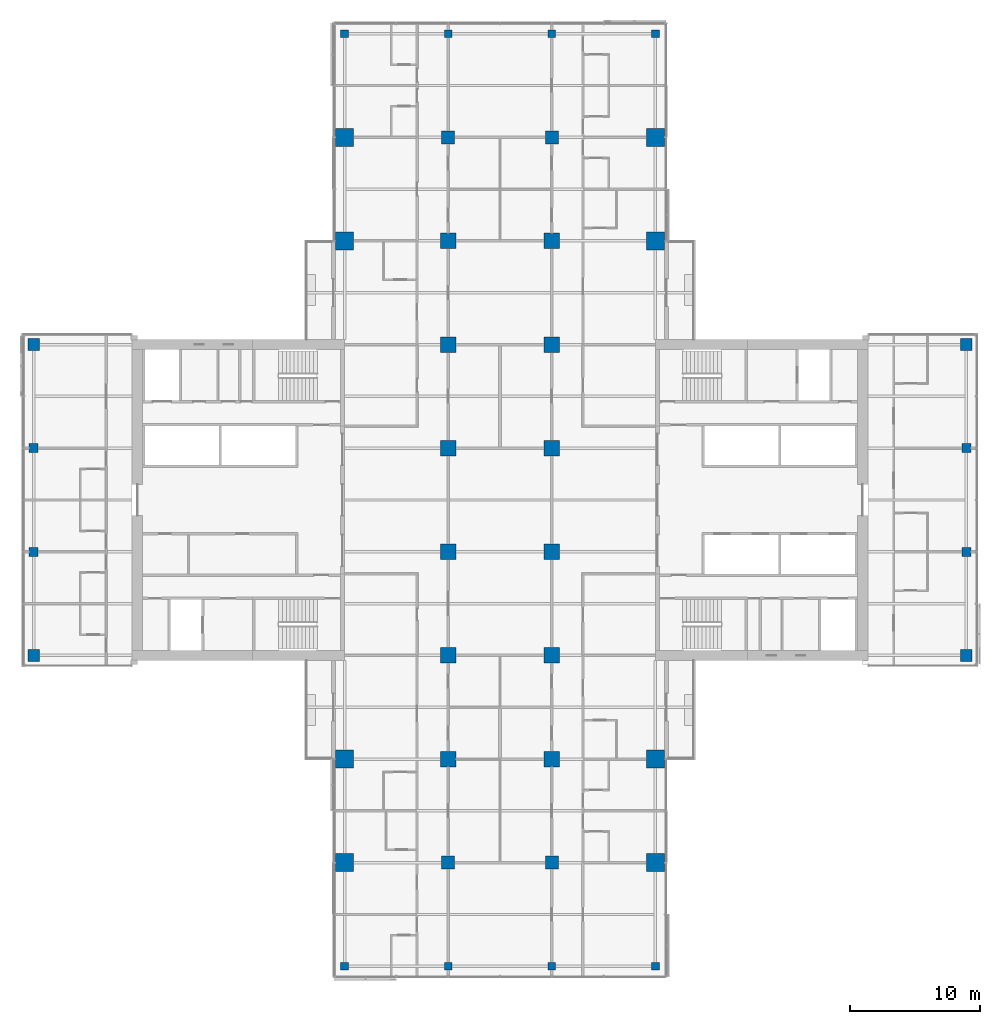
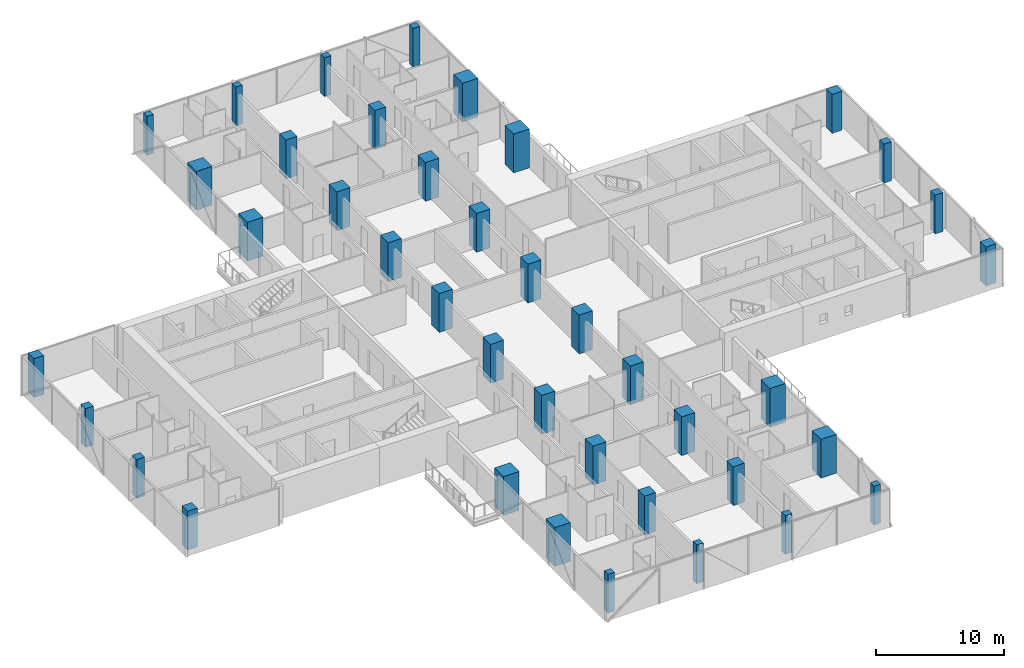
# One storey, part 1 of 27: 40 columns.
"""IFC4 building model written with IfcOpenShell, lengths in metres."""

from ifc_helpers import new_model, si_unit, direction, frame, origin, origin_2d, place, context, subcontext, project, spatial, rectangle, extrude, material, material_profile, profile_set, type_object, element, save


model = new_model("IFC4")

# Units and contexts
model_context = context("Model", 3, precision=1e-05, world=origin(), true_north=direction((0.0, 1.0)))
body_context = subcontext(model_context, "Body", "Model", "MODEL_VIEW")
ifc_project = project(units=[si_unit("LENGTHUNIT", "METRE"), si_unit("AREAUNIT", "SQUARE_METRE"), si_unit("VOLUMEUNIT", "CUBIC_METRE"), si_unit("PLANEANGLEUNIT", "RADIAN"), si_unit("MASSUNIT", "GRAM", prefix="KILO")], contexts=[model_context])

# Site, building, storey
site_placement = place(None, origin())
site = spatial("IfcSite", under=ifc_project, at=site_placement, CompositionType="ELEMENT")
building_placement = place(site_placement, origin())
building = spatial("IfcBuilding", under=site, at=building_placement, Name="Crosswind Convention Tower", CompositionType="ELEMENT")
storey_placement = place(building_placement, frame((0.0, 0.0, 79.39990234375)))
storey = spatial("IfcBuildingStorey", under=building, at=storey_placement, Name="L14", CompositionType="ELEMENT", Elevation=79.39990234375)

# Columns
ifc_material_1 = material(Name="Concrete C70/85", Category="concrete")
ifc_material_profile_1 = material_profile(ifc_material_1, rectangle(XDim=1.0, YDim=1.0, at=origin_2d()), Name="RC 1000X1000")
ifc_profile_set_1 = profile_set([ifc_material_profile_1], Name="Concrete C70/85")
column_type_1 = type_object("IfcColumnType", Name="Column RC 1000X1000", PredefinedType="COLUMN", material=ifc_profile_set_1)
for number, where, z_axis, x_axis, name in (
    (1, (121.0, 72.0, 0.0), (0.0, 0.0, 1.0), (1.0, 0.0, 0.0), "C12 L14 6/C"),
    (2, (121.0, 128.0, 0.0), (0.0, 0.0, 1.0), (1.0, 0.0, 0.0), "C12 L14 6/J"),
    (3, (129.0, 72.0, 0.0), (0.0, 0.0, 1.0), (1.0, 0.0, 0.0), "C12 L14 7/C"),
    (4, (129.0, 128.0, 0.0), (0.0, 0.0, 1.0), (1.0, 0.0, 0.0), "C12 L14 7/J"),
):
    element("IfcColumn", number, at=place(storey_placement, frame(where, z_axis=z_axis, x_axis=x_axis)), inside=storey, type_object=column_type_1, Name=name, PredefinedType="COLUMN", context=body_context, shape_type="SweptSolid", body=[
        extrude(rectangle(XDim=1.0, YDim=1.0, at=origin_2d()), origin(), (0.0, 0.0, 1.0), 3.7001953125),
    ])
ifc_material_profile_2 = material_profile(ifc_material_1, rectangle(XDim=1.199951171875, YDim=1.199951171875, at=origin_2d()), Name="RC 1200X1200")
ifc_profile_set_2 = profile_set([ifc_material_profile_2], Name="Concrete C70/85")
column_type_2 = type_object("IfcColumnType", Name="Column RC 1200X1200", PredefinedType="COLUMN", material=ifc_profile_set_2)
for number, where, z_axis, x_axis, name in (
    (5, (121.0, 80.0, 0.0), (0.0, 0.0, 1.0), (1.0, 0.0, 0.0), "C11 L14 6/D"),
    (6, (121.0, 88.0, 0.0), (0.0, 0.0, 1.0), (1.0, 0.0, 0.0), "C11 L14 6/E"),
    (7, (121.0, 96.0, 0.0), (0.0, 0.0, 1.0), (1.0, 0.0, 0.0), "C11 L14 6/F"),
    (8, (121.0, 104.0, 0.0), (0.0, 0.0, 1.0), (1.0, 0.0, 0.0), "C11 L14 6/G"),
    (9, (121.0, 112.0, 0.0), (0.0, 0.0, 1.0), (1.0, 0.0, 0.0), "C11 L14 6/H"),
    (10, (121.0, 120.0, 0.0), (0.0, 0.0, 1.0), (1.0, 0.0, 0.0), "C11 L14 6/I"),
    (11, (129.0, 80.0, 0.0), (0.0, 0.0, 1.0), (1.0, 0.0, 0.0), "C11 L14 7/D"),
    (12, (129.0, 88.0, 0.0), (0.0, 0.0, 1.0), (1.0, 0.0, 0.0), "C11 L14 7/E"),
    (13, (129.0, 96.0, 0.0), (0.0, 0.0, 1.0), (1.0, 0.0, 0.0), "C11 L14 7/F"),
    (14, (129.0, 104.0, 0.0), (0.0, 0.0, 1.0), (1.0, 0.0, 0.0), "C11 L14 7/G"),
    (15, (129.0, 112.0, 0.0), (0.0, 0.0, 1.0), (1.0, 0.0, 0.0), "C11 L14 7/H"),
    (16, (129.0, 120.0, 0.0), (0.0, 0.0, 1.0), (1.0, 0.0, 0.0), "C11 L14 7/I"),
):
    element("IfcColumn", number, at=place(storey_placement, frame(where, z_axis=z_axis, x_axis=x_axis)), inside=storey, type_object=column_type_2, Name=name, PredefinedType="COLUMN", context=body_context, shape_type="SweptSolid", body=[
        extrude(rectangle(XDim=1.199951171875, YDim=1.199951171875, at=origin_2d()), origin(), (0.0, 0.0, 1.0), 3.7001953125),
    ])
ifc_material_2 = material(Name="Concrete C80/95", Category="concrete")
ifc_material_profile_3 = material_profile(ifc_material_2, rectangle(XDim=1.39990234375, YDim=1.39990234375, at=origin_2d()), Name="RC 1400X1400")
ifc_profile_set_3 = profile_set([ifc_material_profile_3], Name="Concrete C80/95")
column_type_3 = type_object("IfcColumnType", Name="Column RC 1400X1400", PredefinedType="COLUMN", material=ifc_profile_set_3)
for number, where, z_axis, x_axis, name in (
    (17, (113.0, 72.0, 0.0), (0.0, 0.0, 1.0), (1.0, 0.0, 0.0), "C10 L14 5/C"),
    (18, (113.0, 80.0, 0.0), (0.0, 0.0, 1.0), (1.0, 0.0, 0.0), "C10 L14 5/D"),
    (19, (113.0, 120.0, 0.0), (0.0, 0.0, 1.0), (1.0, 0.0, 0.0), "C10 L14 5/I"),
    (20, (113.0, 128.0, 0.0), (0.0, 0.0, 1.0), (1.0, 0.0, 0.0), "C10 L14 5/J"),
    (21, (137.0, 72.0, 0.0), (0.0, 0.0, 1.0), (1.0, 0.0, 0.0), "C10 L14 8/C"),
    (22, (137.0, 80.0, 0.0), (0.0, 0.0, 1.0), (1.0, 0.0, 0.0), "C10 L14 8/D"),
    (23, (137.0, 120.0, 0.0), (0.0, 0.0, 1.0), (1.0, 0.0, 0.0), "C10 L14 8/I"),
    (24, (137.0, 128.0, 0.0), (0.0, 0.0, 1.0), (1.0, 0.0, 0.0), "C10 L14 8/J"),
):
    element("IfcColumn", number, at=place(storey_placement, frame(where, z_axis=z_axis, x_axis=x_axis)), inside=storey, type_object=column_type_3, Name=name, PredefinedType="COLUMN", context=body_context, shape_type="SweptSolid", body=[
        extrude(rectangle(XDim=1.39990234375, YDim=1.39990234375, at=origin_2d()), origin(), (0.0, 0.0, 1.0), 3.7001953125),
    ])
ifc_material_3 = material(Name="Concrete C60/75", Category="concrete")
ifc_material_profile_4 = material_profile(ifc_material_3, rectangle(XDim=0.60009765625, YDim=0.60009765625, at=origin_2d()), Name="RC 600X600")
ifc_profile_set_4 = profile_set([ifc_material_profile_4], Name="Concrete C60/75")
column_type_4 = type_object("IfcColumnType", Name="Column RC 600X600", PredefinedType="COLUMN", material=ifc_profile_set_4)
for number, where, z_axis, x_axis, name in (
    (25, (113.0, 64.0, 0.0), (0.0, 0.0, 1.0), (1.0, 0.0, 0.0), "C16 L14 5/B"),
    (26, (113.0, 136.0, 0.0), (0.0, 0.0, 1.0), (1.0, 0.0, 0.0), "C16 L14 5/K"),
    (27, (121.0, 64.0, 0.0), (0.0, 0.0, 1.0), (1.0, 0.0, 0.0), "C16 L14 6/B"),
    (28, (121.0, 136.0, 0.0), (0.0, 0.0, 1.0), (1.0, 0.0, 0.0), "C16 L14 6/K"),
    (29, (129.0, 64.0, 0.0), (0.0, 0.0, 1.0), (1.0, 0.0, 0.0), "C16 L14 7/B"),
    (30, (129.0, 136.0, 0.0), (0.0, 0.0, 1.0), (1.0, 0.0, 0.0), "C16 L14 7/K"),
    (31, (137.0, 64.0, 0.0), (0.0, 0.0, 1.0), (1.0, 0.0, 0.0), "C16 L14 8/B"),
    (32, (137.0, 136.0, 0.0), (0.0, 0.0, 1.0), (1.0, 0.0, 0.0), "C16 L14 8/K"),
):
    element("IfcColumn", number, at=place(storey_placement, frame(where, z_axis=z_axis, x_axis=x_axis)), inside=storey, type_object=column_type_4, Name=name, PredefinedType="COLUMN", context=body_context, shape_type="SweptSolid", body=[
        extrude(rectangle(XDim=0.60009765625, YDim=0.60009765625, at=origin_2d()), origin(), (0.0, 0.0, 1.0), 3.7001953125),
    ])
ifc_material_profile_5 = material_profile(ifc_material_3, rectangle(XDim=0.699951171875, YDim=0.699951171875, at=origin_2d()), Name="RC 700X700")
ifc_profile_set_5 = profile_set([ifc_material_profile_5], Name="Concrete C60/75")
column_type_5 = type_object("IfcColumnType", Name="Column RC 700X700", PredefinedType="COLUMN", material=ifc_profile_set_5)
for number, where, z_axis, x_axis, name in (
    (33, (89.0, 96.0, 0.0), (0.0, 0.0, 1.0), (1.0, 0.0, 0.0), "C15 L14 2/F"),
    (34, (89.0, 104.0, 0.0), (0.0, 0.0, 1.0), (1.0, 0.0, 0.0), "C15 L14 2/G"),
    (35, (161.0, 96.0, 0.0), (0.0, 0.0, 1.0), (1.0, 0.0, 0.0), "C15 L14 11/F"),
    (36, (161.0, 104.0, 0.0), (0.0, 0.0, 1.0), (1.0, 0.0, 0.0), "C15 L14 11/G"),
):
    element("IfcColumn", number, at=place(storey_placement, frame(where, z_axis=z_axis, x_axis=x_axis)), inside=storey, type_object=column_type_5, Name=name, PredefinedType="COLUMN", context=body_context, shape_type="SweptSolid", body=[
        extrude(rectangle(XDim=0.699951171875, YDim=0.699951171875, at=origin_2d()), origin(), (0.0, 0.0, 1.0), 3.7001953125),
    ])
ifc_material_profile_6 = material_profile(ifc_material_3, rectangle(XDim=0.89990234375, YDim=0.89990234375, at=origin_2d()), Name="RC 900X900")
ifc_profile_set_6 = profile_set([ifc_material_profile_6], Name="Concrete C60/75")
column_type_6 = type_object("IfcColumnType", Name="Column RC 900X900", PredefinedType="COLUMN", material=ifc_profile_set_6)
for number, where, z_axis, x_axis, name in (
    (37, (89.0, 88.0, 0.0), (0.0, 0.0, 1.0), (1.0, 0.0, 0.0), "C13 L14 2/E"),
    (38, (89.0, 112.0, 0.0), (0.0, 0.0, 1.0), (1.0, 0.0, 0.0), "C13 L14 2/H"),
    (39, (161.0, 88.0, 0.0), (0.0, 0.0, 1.0), (1.0, 0.0, 0.0), "C13 L14 11/E"),
    (40, (161.0, 112.0, 0.0), (0.0, 0.0, 1.0), (1.0, 0.0, 0.0), "C13 L14 11/H"),
):
    element("IfcColumn", number, at=place(storey_placement, frame(where, z_axis=z_axis, x_axis=x_axis)), inside=storey, type_object=column_type_6, Name=name, PredefinedType="COLUMN", context=body_context, shape_type="SweptSolid", body=[
        extrude(rectangle(XDim=0.89990234375, YDim=0.89990234375, at=origin_2d()), origin(), (0.0, 0.0, 1.0), 3.7001953125),
    ])

save(model, "model.ifc")
